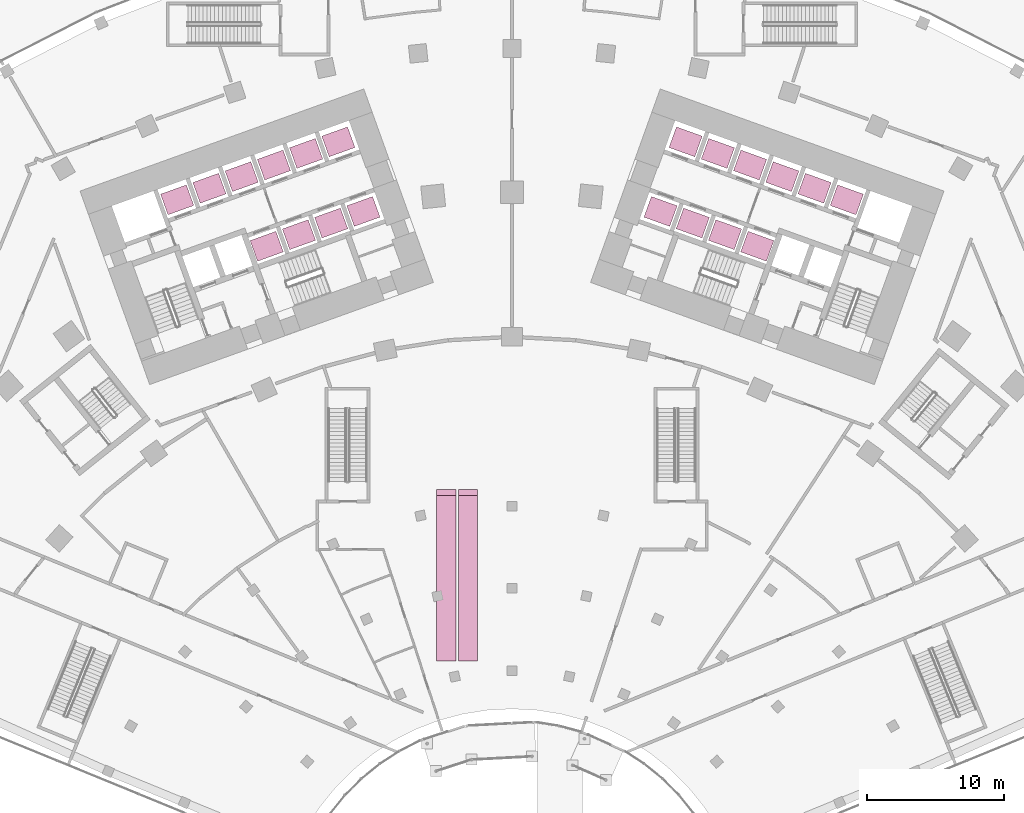
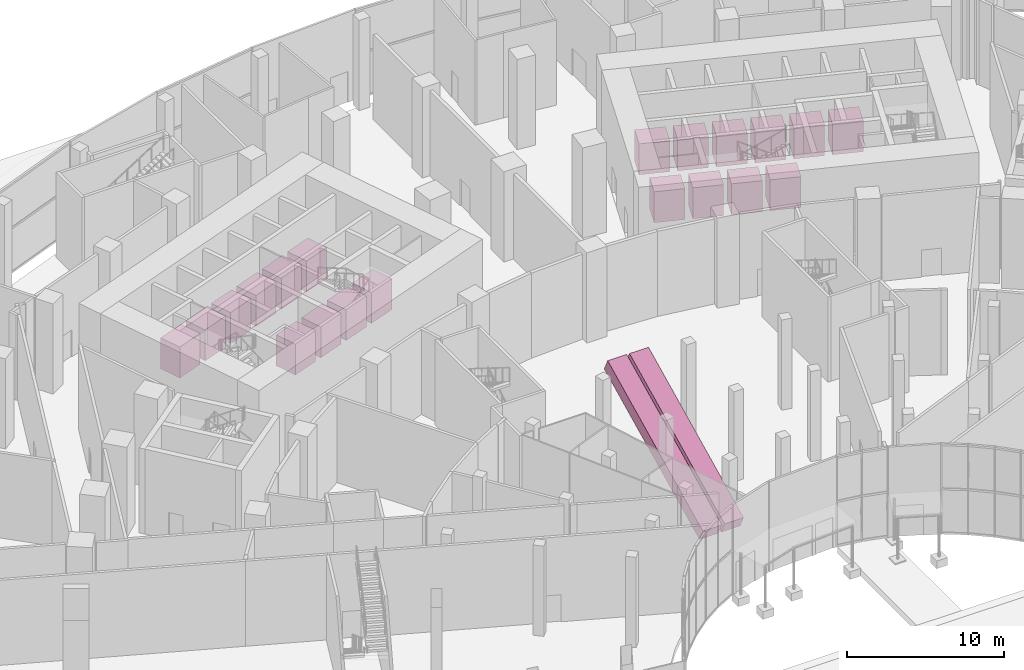
# One storey, part 60 of 60: 22 transport elements.
"""IFC4 building model written with IfcOpenShell, lengths in metres."""

from ifc_helpers import new_model, si_unit, direction, frame, origin, origin_2d, place, context, subcontext, project, spatial, rectangle, extrude, material, material_profile, profile_set, type_object, element, save


model = new_model("IFC4")

# Units and contexts
model_context = context("Model", 3, precision=1e-05, world=origin(), true_north=direction((0.0, 1.0)))
body_context = subcontext(model_context, "Body", "Model", "MODEL_VIEW")
ifc_project = project(units=[si_unit("LENGTHUNIT", "METRE"), si_unit("AREAUNIT", "SQUARE_METRE"), si_unit("VOLUMEUNIT", "CUBIC_METRE"), si_unit("PLANEANGLEUNIT", "RADIAN"), si_unit("MASSUNIT", "GRAM", prefix="KILO")], contexts=[model_context])

# Site, building, storey
site_placement = place(None, origin())
site = spatial("IfcSite", under=ifc_project, at=site_placement, CompositionType="ELEMENT")
building_placement = place(site_placement, origin())
building = spatial("IfcBuilding", under=site, at=building_placement, Name="Stone Belt Terrace Tower", CompositionType="ELEMENT")
storey_placement = place(building_placement, origin())
storey = spatial("IfcBuildingStorey", under=building, at=storey_placement, Name="L00", CompositionType="ELEMENT", Elevation=0.0)

# Transport elements
ifc_material_1 = material(Name="Stainless steel 316", Category="steel")
transport_element_type_1 = type_object("IfcTransportElementType", Name="Passenger lift car 2000x1600", PredefinedType="ELEVATOR", material=ifc_material_1)
for number, where, z_axis, x_axis, name in (
    (1, (-24.42919921875, 54.444091796875, 0.0), (0.0, 0.0, 1.0), (0.940921555566, 0.338624609665, 0.0), "LR1A"),
    (2, (-22.076904296875, 55.290771484375, 0.0), (0.0, 0.0, 1.0), (0.940921555566, 0.338624609665, 0.0), "LR2A"),
    (3, (-19.724609375, 56.13720703125, 0.0), (0.0, 0.0, 1.0), (0.940921555566, 0.338624609665, 0.0), "LR3A"),
    (4, (-17.372314453125, 56.98388671875, 0.0), (0.0, 0.0, 1.0), (0.940921555566, 0.338624609665, 0.0), "LR4A"),
    (5, (-15.02001953125, 57.830322265625, 0.0), (0.0, 0.0, 1.0), (0.940921555566, 0.338624609665, 0.0), "LR5A"),
    (6, (-12.667724609375, 58.677001953125, 0.0), (0.0, 0.0, 1.0), (0.940921555566, 0.338624609665, 0.0), "LR6A"),
    (7, (-17.896240234375, 51.05615234375, 0.0), (0.0, 0.0, 1.0), (0.940921555566, 0.338624609665, 0.0), "SL1A"),
    (8, (-15.5439453125, 51.90283203125, 0.0), (0.0, 0.0, 1.0), (0.940921555566, 0.338624609665, 0.0), "SL2A"),
    (9, (-13.191650390625, 52.74951171875, 0.0), (0.0, 0.0, 1.0), (0.940921555566, 0.338624609665, 0.0), "SH1A"),
    (10, (-10.83935546875, 53.595947265625, 0.0), (0.0, 0.0, 1.0), (0.940921555566, 0.338624609665, 0.0), "OB1A"),
    (11, (24.42919921875, 54.444091796875, 0.0), (0.0, 0.0, 1.0), (-0.940921555566, 0.338624609665, 0.0), "LR1B"),
    (12, (22.076904296875, 55.290771484375, 0.0), (0.0, 0.0, 1.0), (-0.940921555566, 0.338624609665, 0.0), "LR2B"),
    (13, (19.724609375, 56.13720703125, 0.0), (0.0, 0.0, 1.0), (-0.940921555566, 0.338624609665, 0.0), "LR3B"),
    (14, (17.372314453125, 56.98388671875, 0.0), (0.0, 0.0, 1.0), (-0.940921555566, 0.338624609665, 0.0), "LR4B"),
    (15, (15.02001953125, 57.830322265625, 0.0), (0.0, 0.0, 1.0), (-0.940921555566, 0.338624609665, 0.0), "LR5B"),
    (16, (12.667724609375, 58.677001953125, 0.0), (0.0, 0.0, 1.0), (-0.940921555566, 0.338624609665, 0.0), "LR6B"),
    (17, (17.896240234375, 51.05615234375, 0.0), (0.0, 0.0, 1.0), (-0.940921555566, 0.338624609665, 0.0), "SL1B"),
    (18, (15.5439453125, 51.90283203125, 0.0), (0.0, 0.0, 1.0), (-0.940921555566, 0.338624609665, 0.0), "SL2B"),
    (19, (13.191650390625, 52.74951171875, 0.0), (0.0, 0.0, 1.0), (-0.940921555566, 0.338624609665, 0.0), "SH1B"),
    (20, (10.83935546875, 53.595947265625, 0.0), (0.0, 0.0, 1.0), (-0.940921555566, 0.338624609665, 0.0), "OB1B"),
):
    element("IfcTransportElement", number, at=place(storey_placement, frame(where, z_axis=z_axis, x_axis=x_axis)), inside=storey, type_object=transport_element_type_1, Name=name, PredefinedType="ELEVATOR", context=body_context, shape_type="SweptSolid", body=[
        extrude(rectangle(XDim=2.0, YDim=1.60009765625, at=origin_2d()), origin(), (0.0, 0.0, 1.0), 2.39990234375),
    ])
ifc_material_2 = material(Name="Stainless steel and glass escalator truss", Category="steel")
ifc_material_profile = material_profile(ifc_material_2, rectangle(XDim=1.39990234375, YDim=1.0, at=origin_2d()), Name="Podium escalator 1000")
ifc_profile_set = profile_set([ifc_material_profile], Name="Stainless steel and glass escalator truss")
transport_element_type_2 = type_object("IfcTransportElementType", Name="Podium escalator 1000", PredefinedType="ESCALATOR", material=ifc_profile_set)
for number, where, z_axis, x_axis, name in (
    (21, (-4.800048828125, 21.0, 0.550048828125), (0.0, 0.898844077781, 0.43826855219), (-1.0, 0.0, 0.0), "Escalator E1 up"),
    (22, (-3.199951171875, 21.0, 0.550048828125), (0.0, 0.898844077781, 0.43826855219), (-1.0, 0.0, 0.0), "Escalator E1 down"),
):
    element("IfcTransportElement", number, at=place(storey_placement, frame(where, z_axis=z_axis, x_axis=x_axis)), inside=storey, type_object=transport_element_type_2, Name=name, PredefinedType="ESCALATOR", context=body_context, shape_type="SweptSolid", body=[
        extrude(rectangle(XDim=1.39990234375, YDim=1.0, at=origin_2d()), origin(), (0.0, 0.0, 1.0), 13.4619140625),
    ])

save(model, "model.ifc")
